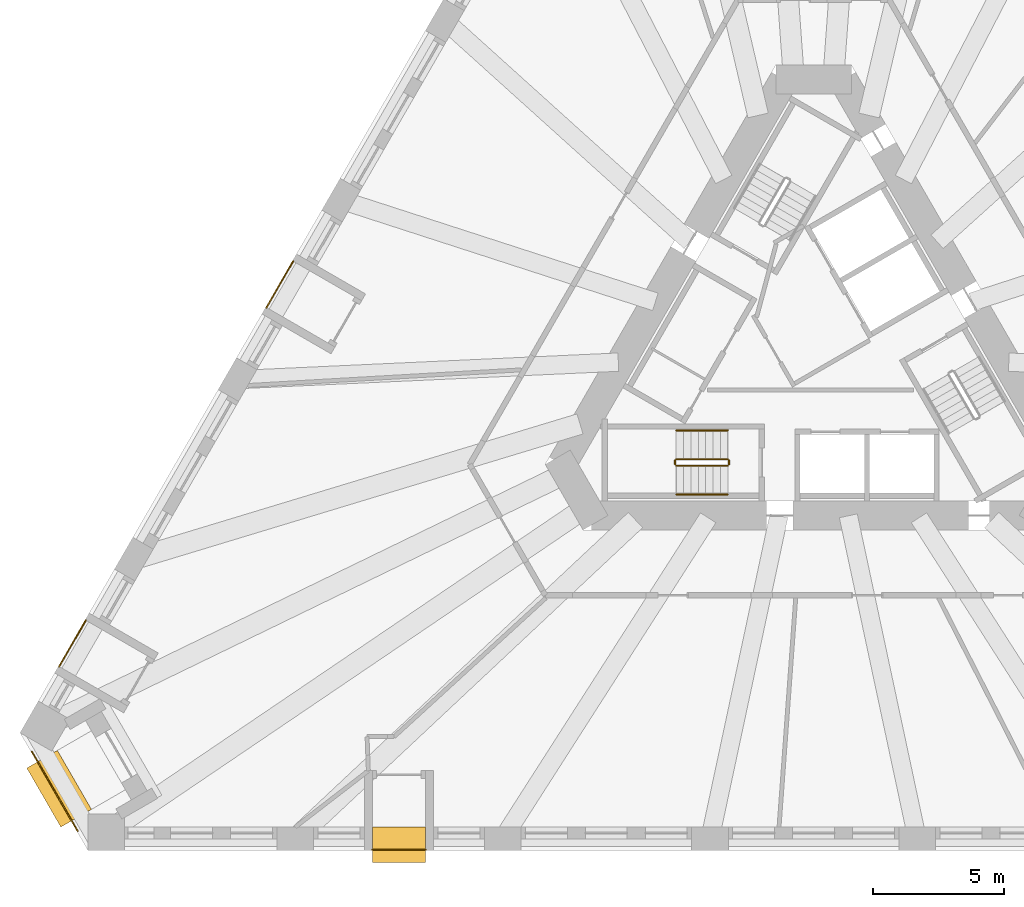
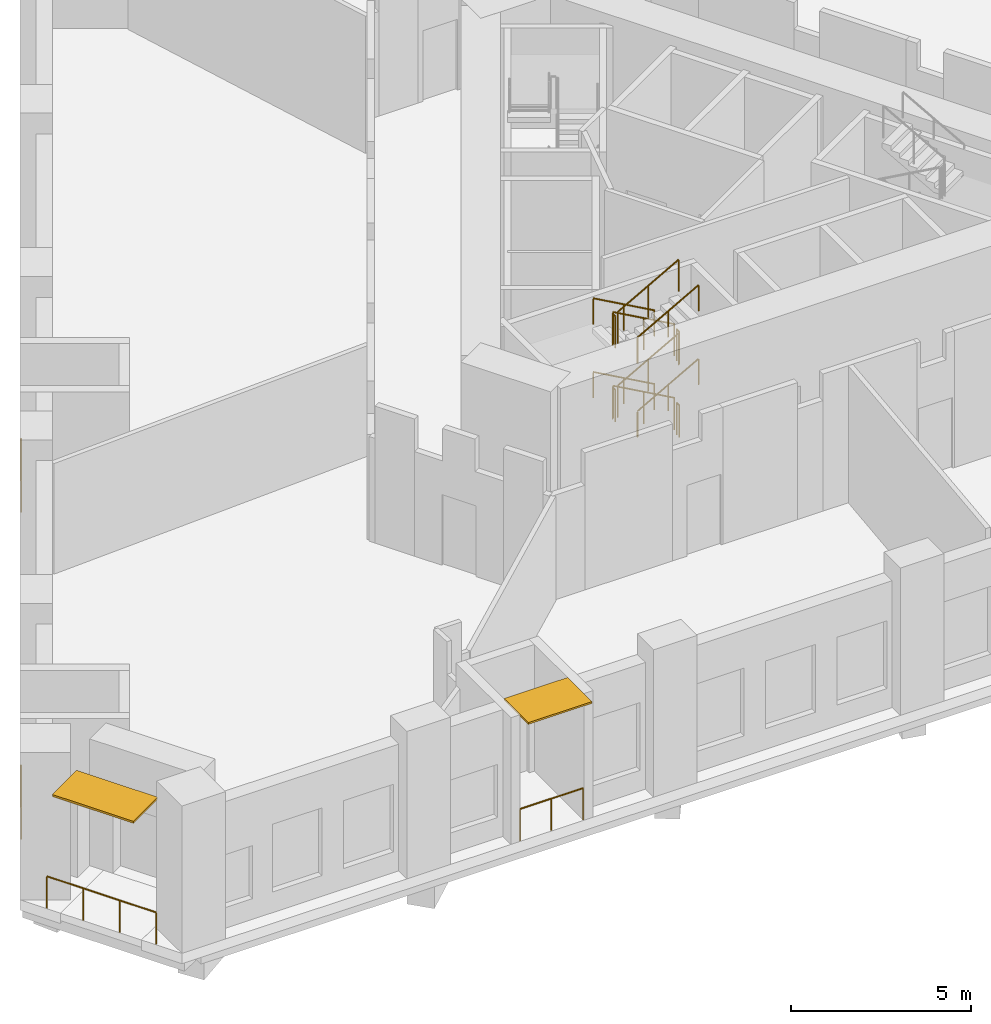
# One storey, part 9 of 12: 16 railings, 2 shading devices.
"""IFC4 building model written with IfcOpenShell, lengths in metres."""

from ifc_helpers import new_model, si_unit, direction, frame, origin, origin_2d, place, context, subcontext, project, spatial, rectangle, circle, extrude, material, layer, layer_set, type_object, element, save


model = new_model("IFC4")

# Units and contexts
model_context = context("Model", 3, precision=1e-05, world=origin(), true_north=direction((0.0, 1.0)))
body_context = subcontext(model_context, "Body", "Model", "MODEL_VIEW")
ifc_project = project(units=[si_unit("LENGTHUNIT", "METRE"), si_unit("AREAUNIT", "SQUARE_METRE"), si_unit("VOLUMEUNIT", "CUBIC_METRE"), si_unit("PLANEANGLEUNIT", "RADIAN"), si_unit("MASSUNIT", "GRAM", prefix="KILO")], contexts=[model_context])

# Site, building, storey
site_placement = place(None, origin())
site = spatial("IfcSite", under=ifc_project, at=site_placement, CompositionType="ELEMENT")
building_placement = place(site_placement, origin())
building = spatial("IfcBuilding", under=site, at=building_placement, Name="Tramontana Tower", CompositionType="ELEMENT")
storey_placement = place(building_placement, frame((0.0, 0.0, 25.0)))
storey = spatial("IfcBuildingStorey", under=building, at=storey_placement, Name="L04", CompositionType="ELEMENT", Elevation=25.0)

# Railings
ifc_material_1 = material(Name="Laminated glass balustrade", Category="glass")
railing_type_1 = type_object("IfcRailingType", Name="GD1 Loggia glass balustrade 1100", PredefinedType="BALUSTRADE", material=ifc_material_1)
for number, where, name in (
    (1, (-19.877685546875, 3.510986328125, 0.0), "Loggia balustrade L04 G0S0.13"),
    (2, (-27.795654296875, -10.203369140625, 0.0), "Loggia balustrade L04 G0S0.19"),
):
    element("IfcRailing", number, at=place(storey_placement, frame(where)), inside=storey, type_object=railing_type_1, Name=name, PredefinedType="BALUSTRADE", context=body_context, shape_type="SweptSolid", body=[
        extrude(circle(Radius=0.02392578125, at=origin_2d()), frame((0.0, 0.0, 1.076171875), z_axis=(-0.499950448838, -0.866054010271, 0.0), x_axis=(0.866054010271, -0.499950448838, 0.0)), (0.0, 0.0, 1.0), 2.039306640625),
        extrude(circle(Radius=0.02099609375, at=origin_2d()), origin(), (0.0, 0.0, 1.0), 1.052001953125),
        extrude(circle(Radius=0.02099609375, at=origin_2d()), frame((-0.509765625, -0.883056640625, 0.0)), (0.0, 0.0, 1.0), 1.052001953125),
        extrude(circle(Radius=0.02099609375, at=origin_2d()), frame((-1.01953125, -1.76611328125, 0.0)), (0.0, 0.0, 1.0), 1.052001953125),
    ])
railing_1_placement = place(storey_placement, frame((-16.85546875, -18.969970703125, 0.0)))
element("IfcRailing", 3, at=railing_1_placement, inside=storey, type_object=railing_type_1, Name="Loggia balustrade L04 G0S1.4", PredefinedType="BALUSTRADE", context=body_context, shape_type="SweptSolid", body=[
    extrude(circle(Radius=0.02392578125, at=origin_2d()), frame((0.0, 0.0, 1.076171875), z_axis=(1.0, 0.0, 0.0), x_axis=(0.0, 1.0, 0.0)), (0.0, 0.0, 1.0), 2.039306640625),
    extrude(circle(Radius=0.02099609375, at=origin_2d()), origin(), (0.0, 0.0, 1.0), 1.052001953125),
    extrude(circle(Radius=0.02099609375, at=origin_2d()), frame((1.01953125, 0.0, 0.0)), (0.0, 0.0, 1.0), 1.052001953125),
    extrude(circle(Radius=0.02099609375, at=origin_2d()), frame((2.039306640625, 0.0, 0.0)), (0.0, 0.0, 1.0), 1.052001953125),
])
railing_2_placement = place(storey_placement, frame((-28.11083984375, -18.25048828125, 0.0)))
element("IfcRailing", 4, at=railing_2_placement, inside=storey, type_object=railing_type_1, Name="Corner loggia balustrade L04 K01", PredefinedType="BALUSTRADE", context=body_context, shape_type="SweptSolid", body=[
    extrude(circle(Radius=0.02392578125, at=origin_2d()), frame((0.0, 0.0, 1.076171875), z_axis=(-0.500010275428, 0.866019471182, 0.0), x_axis=(-0.866019471182, -0.500010275428, 0.0)), (0.0, 0.0, 1.0), 3.5),
    extrude(circle(Radius=0.02099609375, at=origin_2d()), origin(), (0.0, 0.0, 1.0), 1.052001953125),
    extrude(circle(Radius=0.02099609375, at=origin_2d()), frame((-0.583251953125, 1.01025390625, 0.0)), (0.0, 0.0, 1.0), 1.052001953125),
    extrude(circle(Radius=0.02099609375, at=origin_2d()), frame((-1.166748046875, 2.020751953125, 0.0)), (0.0, 0.0, 1.0), 1.052001953125),
    extrude(circle(Radius=0.02099609375, at=origin_2d()), frame((-1.75, 3.031005859375, 0.0)), (0.0, 0.0, 1.0), 1.052001953125),
])

# Shading devices
ifc_material_2 = material(Name="Precast concrete 60 MPa", Category="concrete")
ifc_layer_1 = layer(ifc_material_2, 0.06005859375)
ifc_layer_set_1 = layer_set([ifc_layer_1], Name="SS1 Stone sunshade blade 60")
shading_device_type_1 = type_object("IfcShadingDeviceType", Name="SS1 Stone sunshade blade 60", PredefinedType="USERDEFINED", material=ifc_layer_set_1)
shading_device_1_placement = place(storey_placement, frame((-15.8359375, -18.77490234375, 4.239990234375), z_axis=(0.0, 0.0, 1.0), x_axis=(1.0, 0.0, 0.0)))
element("IfcShadingDevice", 5, at=shading_device_1_placement, inside=storey, type_object=shading_device_type_1, Name="Sunshade L04 G0S1.4", ObjectType="SUNSHADE", PredefinedType="USERDEFINED", context=body_context, shape_type="SweptSolid", body=[
    extrude(rectangle(XDim=2.039306640625, YDim=1.35009765625, at=origin_2d()), origin(), (0.0, 0.0, 1.0), 0.06005859375),
])
ifc_material_3 = material(Name="Precast concrete 60 MPa", Category="concrete")
ifc_layer_2 = layer(ifc_material_3, 0.070068359375)
ifc_layer_set_2 = layer_set([ifc_layer_2], Name="SS2 Stone sunshade blade 70")
shading_device_type_2 = type_object("IfcShadingDeviceType", Name="SS2 Stone sunshade blade 70", PredefinedType="USERDEFINED", material=ifc_layer_set_2)
shading_device_2_placement = place(storey_placement, frame((-28.81689453125, -16.637451171875, 4.22998046875), z_axis=(0.0, 0.0, 1.0), x_axis=(-0.5, 0.866025403784, 0.0)))
element("IfcShadingDevice", 6, at=shading_device_2_placement, inside=storey, type_object=shading_device_type_2, Name="Corner sunshade L04 K01", ObjectType="SUNSHADE", PredefinedType="USERDEFINED", context=body_context, shape_type="SweptSolid", body=[
    extrude(rectangle(XDim=2.60009765625, YDim=1.35009765625, at=origin_2d()), origin(), (0.0, 0.0, 1.0), 0.070068359375),
])

# Railings
ifc_material_4 = material(Name="Painted steel", Category="steel")
railing_type_2 = type_object("IfcRailingType", Name="STAIR GUARD 1100", PredefinedType="GUARDRAIL", material=ifc_material_4)
railing_3_placement = place(storey_placement, frame((-3.280029296875, -4.050048828125, 0.15625)))
element("IfcRailing", 7, at=railing_3_placement, inside=storey, type_object=railing_type_2, Name="L04 ST2 stair guard 1", PredefinedType="GUARDRAIL", context=body_context, shape_type="SweptSolid", body=[
    extrude(circle(Radius=0.02392578125, at=origin_2d()), frame((0.0, 0.0, 1.076171875), z_axis=(-0.873232148454, 0.0, 0.487304437602), x_axis=(0.0, -1.0, 0.0)), (0.0, 0.0, 1.0), 2.244384765625),
    extrude(circle(Radius=0.02099609375, at=origin_2d()), origin(), (0.0, 0.0, 1.0), 1.052001953125),
    extrude(circle(Radius=0.02099609375, at=origin_2d()), frame((-0.97998046875, 0.0, 0.546875)), (0.0, 0.0, 1.0), 1.052001953125),
    extrude(circle(Radius=0.02099609375, at=origin_2d()), frame((-1.9599609375, 0.0, 1.09375)), (0.0, 0.0, 1.0), 1.052001953125),
])
railing_4_placement = place(storey_placement, frame((-5.239990234375, -4.300048828125, 1.40625)))
element("IfcRailing", 8, at=railing_4_placement, inside=storey, type_object=railing_type_2, Name="L04 ST2 stair guard 2", PredefinedType="GUARDRAIL", context=body_context, shape_type="SweptSolid", body=[
    extrude(circle(Radius=0.02392578125, at=origin_2d()), frame((0.0, 0.0, 1.076171875), z_axis=(0.873232148454, 0.0, 0.487304437602), x_axis=(0.0, 1.0, 0.0)), (0.0, 0.0, 1.0), 2.244384765625),
    extrude(circle(Radius=0.02099609375, at=origin_2d()), origin(), (0.0, 0.0, 1.0), 1.052001953125),
    extrude(circle(Radius=0.02099609375, at=origin_2d()), frame((0.97998046875, 0.0, 0.546875)), (0.0, 0.0, 1.0), 1.052001953125),
    extrude(circle(Radius=0.02099609375, at=origin_2d()), frame((1.9599609375, 0.0, 1.09375)), (0.0, 0.0, 1.0), 1.052001953125),
])
railing_5_placement = place(storey_placement, frame((-3.280029296875, -4.050048828125, 2.65625)))
element("IfcRailing", 9, at=railing_5_placement, inside=storey, type_object=railing_type_2, Name="L04 ST2 stair guard 3", PredefinedType="GUARDRAIL", context=body_context, shape_type="SweptSolid", body=[
    extrude(circle(Radius=0.02392578125, at=origin_2d()), frame((0.0, 0.0, 1.076171875), z_axis=(-0.873232148454, 0.0, 0.487304437602), x_axis=(0.0, -1.0, 0.0)), (0.0, 0.0, 1.0), 2.244384765625),
    extrude(circle(Radius=0.02099609375, at=origin_2d()), origin(), (0.0, 0.0, 1.0), 1.052001953125),
    extrude(circle(Radius=0.02099609375, at=origin_2d()), frame((-0.97998046875, 0.0, 0.546875)), (0.0, 0.0, 1.0), 1.052001953125),
    extrude(circle(Radius=0.02099609375, at=origin_2d()), frame((-1.9599609375, 0.0, 1.09375)), (0.0, 0.0, 1.0), 1.052001953125),
])
railing_6_placement = place(storey_placement, frame((-5.239990234375, -4.300048828125, 3.90625)))
element("IfcRailing", 10, at=railing_6_placement, inside=storey, type_object=railing_type_2, Name="L04 ST2 stair guard 4", PredefinedType="GUARDRAIL", context=body_context, shape_type="SweptSolid", body=[
    extrude(circle(Radius=0.02392578125, at=origin_2d()), frame((0.0, 0.0, 1.076171875), z_axis=(0.873232148454, 0.0, 0.487304437602), x_axis=(0.0, 1.0, 0.0)), (0.0, 0.0, 1.0), 2.244384765625),
    extrude(circle(Radius=0.02099609375, at=origin_2d()), origin(), (0.0, 0.0, 1.0), 1.052001953125),
    extrude(circle(Radius=0.02099609375, at=origin_2d()), frame((0.97998046875, 0.0, 0.546875)), (0.0, 0.0, 1.0), 1.052001953125),
    extrude(circle(Radius=0.02099609375, at=origin_2d()), frame((1.9599609375, 0.0, 1.09375)), (0.0, 0.0, 1.0), 1.052001953125),
])
for number, where, name in (
    (11, (-5.2900390625, -4.10009765625, 1.25), "L04 ST2 stair guard 5"),
    (12, (-3.22998046875, -4.10009765625, 2.5), "L04 ST2 stair guard 6"),
    (13, (-5.2900390625, -4.10009765625, 3.75), "L04 ST2 stair guard 7"),
    (14, (-3.22998046875, -4.10009765625, 0.0), "L04 ST2 stair guard 8"),
):
    element("IfcRailing", number, at=place(storey_placement, frame(where)), inside=storey, type_object=railing_type_2, Name=name, PredefinedType="GUARDRAIL", context=body_context, shape_type="SweptSolid", body=[
        extrude(circle(Radius=0.02392578125, at=origin_2d()), frame((0.0, 0.0, 1.076171875), z_axis=(0.0, -1.0, 0.0), x_axis=(1.0, 0.0, 0.0)), (0.0, 0.0, 1.0), 0.14990234375),
        extrude(circle(Radius=0.02099609375, at=origin_2d()), origin(), (0.0, 0.0, 1.0), 1.052001953125),
        extrude(circle(Radius=0.02099609375, at=origin_2d()), frame((0.0, -0.14990234375, 0.0)), (0.0, 0.0, 1.0), 1.052001953125),
    ])
ifc_material_5 = material(Name="Painted steel", Category="steel")
railing_type_3 = type_object("IfcRailingType", Name="STAIR HANDRAIL 900", PredefinedType="HANDRAIL", material=ifc_material_5)
railing_7_placement = place(storey_placement, frame((-3.280029296875, -2.949951171875, 0.15625)))
element("IfcRailing", 15, at=railing_7_placement, inside=storey, type_object=railing_type_3, Name="L04 ST2 stair handrail 1", PredefinedType="HANDRAIL", context=body_context, shape_type="SweptSolid", body=[
    extrude(circle(Radius=0.02392578125, at=origin_2d()), frame((0.0, 0.0, 0.8759765625), z_axis=(-0.873232148454, 0.0, 0.487304437602), x_axis=(0.0, -1.0, 0.0)), (0.0, 0.0, 1.0), 2.244384765625),
    extrude(circle(Radius=0.02099609375, at=origin_2d()), origin(), (0.0, 0.0, 1.0), 0.851806640625),
    extrude(circle(Radius=0.02099609375, at=origin_2d()), frame((-0.97998046875, 0.0, 0.546875)), (0.0, 0.0, 1.0), 0.851806640625),
    extrude(circle(Radius=0.02099609375, at=origin_2d()), frame((-1.9599609375, 0.0, 1.09375)), (0.0, 0.0, 1.0), 0.851806640625),
])
railing_8_placement = place(storey_placement, frame((-5.239990234375, -5.39990234375, 1.40625)))
element("IfcRailing", 16, at=railing_8_placement, inside=storey, type_object=railing_type_3, Name="L04 ST2 stair handrail 2", PredefinedType="HANDRAIL", context=body_context, shape_type="SweptSolid", body=[
    extrude(circle(Radius=0.02392578125, at=origin_2d()), frame((0.0, 0.0, 0.8759765625), z_axis=(0.873232148454, 0.0, 0.487304437602), x_axis=(0.0, 1.0, 0.0)), (0.0, 0.0, 1.0), 2.244384765625),
    extrude(circle(Radius=0.02099609375, at=origin_2d()), origin(), (0.0, 0.0, 1.0), 0.851806640625),
    extrude(circle(Radius=0.02099609375, at=origin_2d()), frame((0.97998046875, 0.0, 0.546875)), (0.0, 0.0, 1.0), 0.851806640625),
    extrude(circle(Radius=0.02099609375, at=origin_2d()), frame((1.9599609375, 0.0, 1.09375)), (0.0, 0.0, 1.0), 0.851806640625),
])
railing_9_placement = place(storey_placement, frame((-3.280029296875, -2.949951171875, 2.65625)))
element("IfcRailing", 17, at=railing_9_placement, inside=storey, type_object=railing_type_3, Name="L04 ST2 stair handrail 3", PredefinedType="HANDRAIL", context=body_context, shape_type="SweptSolid", body=[
    extrude(circle(Radius=0.02392578125, at=origin_2d()), frame((0.0, 0.0, 0.8759765625), z_axis=(-0.873232148454, 0.0, 0.487304437602), x_axis=(0.0, -1.0, 0.0)), (0.0, 0.0, 1.0), 2.244384765625),
    extrude(circle(Radius=0.02099609375, at=origin_2d()), origin(), (0.0, 0.0, 1.0), 0.851806640625),
    extrude(circle(Radius=0.02099609375, at=origin_2d()), frame((-0.97998046875, 0.0, 0.546875)), (0.0, 0.0, 1.0), 0.851806640625),
    extrude(circle(Radius=0.02099609375, at=origin_2d()), frame((-1.9599609375, 0.0, 1.09375)), (0.0, 0.0, 1.0), 0.851806640625),
])
railing_10_placement = place(storey_placement, frame((-5.239990234375, -5.39990234375, 3.90625)))
element("IfcRailing", 18, at=railing_10_placement, inside=storey, type_object=railing_type_3, Name="L04 ST2 stair handrail 4", PredefinedType="HANDRAIL", context=body_context, shape_type="SweptSolid", body=[
    extrude(circle(Radius=0.02392578125, at=origin_2d()), frame((0.0, 0.0, 0.8759765625), z_axis=(0.873232148454, 0.0, 0.487304437602), x_axis=(0.0, 1.0, 0.0)), (0.0, 0.0, 1.0), 2.244384765625),
    extrude(circle(Radius=0.02099609375, at=origin_2d()), origin(), (0.0, 0.0, 1.0), 0.851806640625),
    extrude(circle(Radius=0.02099609375, at=origin_2d()), frame((0.97998046875, 0.0, 0.546875)), (0.0, 0.0, 1.0), 0.851806640625),
    extrude(circle(Radius=0.02099609375, at=origin_2d()), frame((1.9599609375, 0.0, 1.09375)), (0.0, 0.0, 1.0), 0.851806640625),
])

save(model, "model.ifc")
